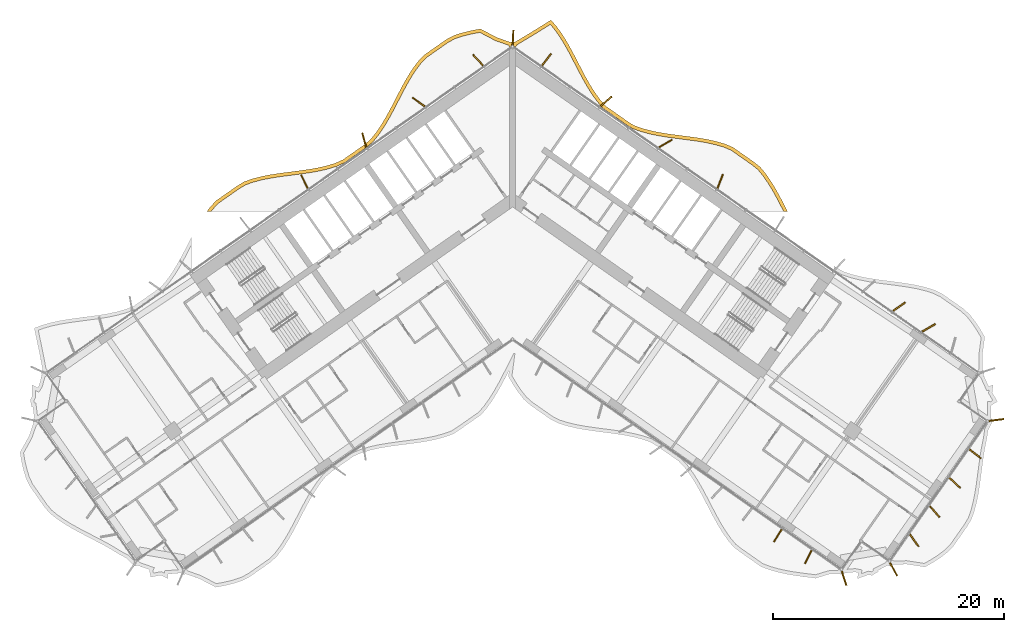
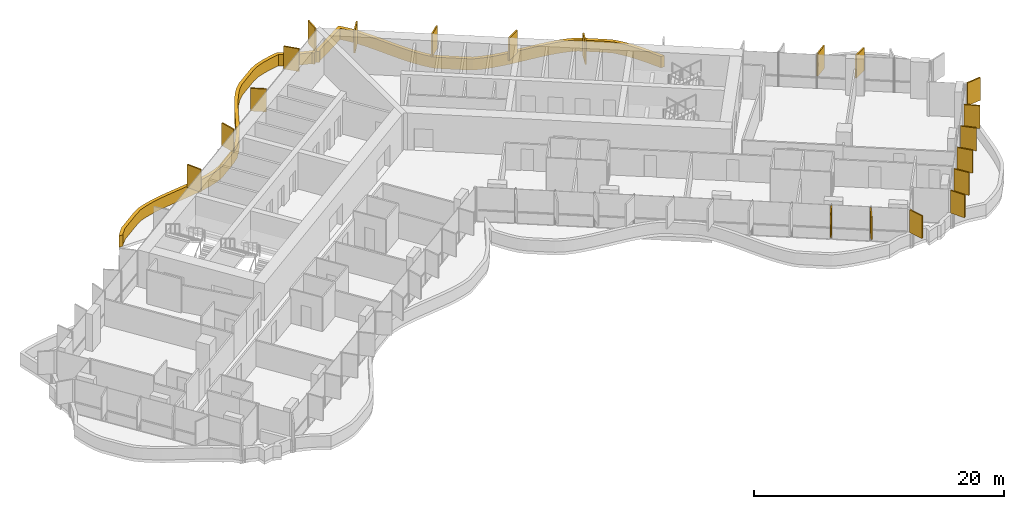
# One storey, part 21 of 22: 21 shading devices.
"""IFC4 building model written with IfcOpenShell, lengths in metres."""

from ifc_helpers import new_model, si_unit, direction, frame, origin, origin_2d, place, context, subcontext, project, spatial, polyline, rectangle, outline, extrude, material, layer, layer_set, type_object, element, save


model = new_model("IFC4")

# Units and contexts
model_context = context("Model", 3, precision=1e-05, world=origin(), true_north=direction((0.0, 1.0)))
body_context = subcontext(model_context, "Body", "Model", "MODEL_VIEW")
ifc_project = project(units=[si_unit("LENGTHUNIT", "METRE"), si_unit("AREAUNIT", "SQUARE_METRE"), si_unit("VOLUMEUNIT", "CUBIC_METRE"), si_unit("PLANEANGLEUNIT", "RADIAN"), si_unit("MASSUNIT", "GRAM", prefix="KILO")], contexts=[model_context])

# Site, building, storey
site_placement = place(None, origin())
site = spatial("IfcSite", under=ifc_project, at=site_placement, CompositionType="ELEMENT")
building_placement = place(site_placement, origin())
building = spatial("IfcBuilding", under=site, at=building_placement, Name="Tel Ilan Convention Tower", CompositionType="ELEMENT")
storey_placement = place(building_placement, frame((0.0, 0.0, 122.89990234375)))
storey = spatial("IfcBuildingStorey", under=building, at=storey_placement, Name="L27", CompositionType="ELEMENT", Elevation=122.89990234375)

# Shading devices
ifc_material_1 = material(Name="Aluminium, bronze anodised", Category="aluminium")
ifc_layer_1 = layer(ifc_material_1, 0.1201171875)
ifc_layer_set_1 = layer_set([ifc_layer_1], Name="FIN BRONZE 1300x120")
shading_device_type_1 = type_object("IfcShadingDeviceType", Name="FIN BRONZE 1300x120", PredefinedType="USERDEFINED", material=ifc_layer_set_1)
for number, where, z_axis, x_axis, name in (
    (1, (18.00048828125, 1.001220703125, 1.10009765625), (0.0, 0.0, 1.0), (0.360177724803, 0.932883704733, 0.0), "FIN"),
    (2, (13.26171875, 4.28173828125, 1.10009765625), (0.0, 0.0, 1.0), (0.866025403784, 0.5, 0.0), "FIN"),
    (3, (8.1083984375, 7.927734375, 1.10009765625), (0.0, 0.0, 1.0), (0.753435896329, 0.657521368568, 0.0), "FIN"),
    (4, (2.9365234375, 11.557373046875, 1.10009765625), (0.0, 0.0, 1.0), (0.612600545196, 0.790392669516, 0.0), "FIN"),
    (5, (0.031494140625, 13.4697265625, 1.10009765625), (0.0, 0.0, 1.0), (0.048462378231, 0.998825008646, 0.0), "FIN"),
    (6, (-2.98779296875, 11.521240234375, 1.10009765625), (0.0, 0.0, 1.0), (-0.686241637865, 0.727373641577, 0.0), "FIN"),
    (7, (-8.150634765625, 7.883056640625, 1.10009765625), (0.0, 0.0, 1.0), (-0.813552070258, 0.581492071294, 0.0), "FIN"),
    (8, (-12.8701171875, 4.578369140625, 1.10009765625), (0.0, 0.0, 1.0), (-0.268172612768, 0.963370878614, 0.0), "FIN"),
    (9, (-18.054931640625, 0.97119140625, 1.10009765625), (0.0, 0.0, 1.0), (-0.448799180206, 0.893632640321, 0.0), "FIN"),
    (10, (23.007568359375, -29.7236328125, 1.10009765625), (0.0, 0.0, 1.0), (-0.533204432798, -0.845986425922, 0.0), "FIN"),
    (11, (25.654296875, -31.576416015625, 1.10009765625), (0.0, 0.0, 1.0), (-0.448799180206, -0.893632640321, 0.0), "FIN"),
    (12, (28.75146484375, -33.43115234375, 1.10009765625), (0.0, 0.0, 1.0), (0.314544756146, -0.949242643575, 0.0), "FIN"),
    (13, (33.046875, -32.654541015625, 1.10009765625), (0.0, 0.0, 1.0), (0.491579408049, -0.870832754082, 0.0), "FIN"),
    (14, (34.83837890625, -30.15185546875, 1.10009765625), (0.0, 0.0, 1.0), (0.581492071294, -0.813552070258, 0.0), "FIN"),
    (15, (36.60400390625, -27.652099609375, 1.10009765625), (0.0, 0.0, 1.0), (0.657521368568, -0.753435896329, 0.0), "FIN"),
    (16, (38.365478515625, -25.147705078125, 1.10009765625), (0.0, 0.0, 1.0), (0.727373641577, -0.686241637865, 0.0), "FIN"),
    (17, (40.12255859375, -22.63916015625, 1.10009765625), (0.0, 0.0, 1.0), (0.790392669516, -0.612600545196, 0.0), "FIN"),
    (18, (41.974609375, -19.699951171875, 1.10009765625), (0.0, 0.0, 1.0), (0.992066016082, 0.125718016748, 0.0), "FIN"),
    (19, (36.093994140625, -11.705810546875, 1.10009765625), (0.0, 0.0, 1.0), (0.866025403784, 0.5, 0.0), "FIN"),
    (20, (33.52001953125, -9.880859375, 1.10009765625), (0.0, 0.0, 1.0), (0.813552070258, 0.581492071294, 0.0), "FIN"),
):
    element("IfcShadingDevice", number, at=place(storey_placement, frame(where, z_axis=z_axis, x_axis=x_axis)), inside=storey, type_object=shading_device_type_1, Name=name, ObjectType="FIN", PredefinedType="USERDEFINED", context=body_context, shape_type="SweptSolid", body=[
        extrude(rectangle(XDim=1.300048828125, YDim=0.1201171875, at=origin_2d()), origin(), (0.0, 0.0, 1.0), 2.219970703125),
    ])
ifc_material_2 = material(Name="Aluminium, bronze anodised", Category="aluminium")
ifc_layer_2 = layer(ifc_material_2, 0.300048828125)
ifc_layer_set_2 = layer_set([ifc_layer_2], Name="LOUVRE BAND 300x1100")
shading_device_type_2 = type_object("IfcShadingDeviceType", Name="LOUVRE BAND 300x1100", PredefinedType="USERDEFINED", material=ifc_layer_set_2)
shading_device_placement = place(storey_placement, origin())
element("IfcShadingDevice", 21, at=shading_device_placement, inside=storey, type_object=shading_device_type_2, Name="LOUVRE BAND 21.02", ObjectType="LOUVRE", PredefinedType="USERDEFINED", context=body_context, shape_type="SweptSolid", body=[
    extrude(outline(polyline([(-26.25927734375, -1.2568359375), (-26.53369140625, -1.631591796875), (-26.161865234375, -1.631591796875), (-26.0263671875, -1.44677734375), (-25.550048828125, -0.921630859375), (-23.767333984375, 0.32666015625), (-23.172119140625, 0.69384765625), (-22.488037109375, 0.931884765625), (-21.74560546875, 1.12646484375), (-20.9677734375, 1.28076171875), (-20.1630859375, 1.405517578125), (-18.510009765625, 1.619140625), (-17.68115234375, 1.73583984375), (-16.864013671875, 1.8779296875), (-16.0673828125, 2.058837890625), (-15.293212890625, 2.292236328125), (-14.563232421875, 2.620849609375), (-12.711669921875, 3.91748046875), (-12.110595703125, 4.42333984375), (-11.60400390625, 5.05859375), (-11.148193359375, 5.729736328125), (-10.724853515625, 6.43798828125), (-10.325439453125, 7.1708984375), (-9.557861328125, 8.65576171875), (-9.169921875, 9.37939453125), (-8.76708984375, 10.072509765625), (-8.3408203125, 10.72265625), (-7.890380859375, 11.3125), (-7.3837890625, 11.798583984375), (-5.60009765625, 13.047607421875), (-4.982177734375, 13.37744140625), (-4.2822265625, 13.604248046875), (-3.5302734375, 13.78759765625), (-2.8408203125, 13.914306640625), (-1.48388671875, 13.200927734375), (-0.362060546875, 12.812255859375), (-0.24609375, 12.646728515625), (0.0, 12.818115234375), (0.24609375, 12.646728515625), (0.38134765625, 12.839599609375), (1.88916015625, 13.747314453125), (3.271728515625, 14.607177734375), (3.593017578125, 14.232666015625), (4.037353515625, 13.614990234375), (4.454345703125, 12.947998046875), (4.8505859375, 12.2421875), (6.0068359375, 10.025390625), (6.4140625, 9.2998046875), (6.84814453125, 8.603759765625), (7.318115234375, 7.94921875), (7.845947265625, 7.3291015625), (9.697021484375, 6.0283203125), (10.3486328125, 5.60009765625), (11.1142578125, 5.323974609375), (11.8935546875, 5.112060546875), (12.69873046875, 4.94677734375), (13.521240234375, 4.815673828125), (15.99755859375, 4.4873046875), (16.79345703125, 4.35302734375), (17.559326171875, 4.18505859375), (18.284423828125, 3.97412109375), (18.94091796875, 3.7060546875), (20.723876953125, 2.457763671875), (21.272216796875, 2.02392578125), (21.729736328125, 1.462646484375), (22.166748046875, 0.83154296875), (22.57763671875, 0.153564453125), (22.97021484375, -0.56005859375), (23.52587890625, -1.631591796875), (23.86328125, -1.631591796875), (23.23486328125, -0.41845703125), (22.837646484375, 0.303466796875), (22.418701171875, 0.99462890625), (21.9697265625, 1.64306640625), (21.484130859375, 2.239013671875), (20.903076171875, 2.698486328125), (19.08544921875, 3.97119140625), (18.38330078125, 4.2578125), (17.63330078125, 4.47607421875), (16.8505859375, 4.647705078125), (16.043212890625, 4.783935546875), (13.564697265625, 5.112548828125), (12.75244140625, 5.241943359375), (11.963134765625, 5.404052734375), (11.20458984375, 5.610107421875), (10.483642578125, 5.8701171875), (9.865478515625, 6.276611328125), (8.050048828125, 7.55224609375), (7.5546875, 8.134033203125), (7.09765625, 8.770751953125), (6.672119140625, 9.452880859375), (6.2705078125, 10.168701171875), (5.1142578125, 12.385498046875), (4.71240234375, 13.100830078125), (4.28662109375, 13.7822265625), (3.8291015625, 14.418212890625), (3.331787109375, 14.997802734375), (1.732666015625, 14.003173828125), (0.168701171875, 13.059326171875), (0.11474609375, 13.09521484375), (0.0, 13.1181640625), (-0.11474609375, 13.09521484375), (-0.168701171875, 13.059326171875), (-1.3642578125, 13.47705078125), (-2.79296875, 14.228271484375), (-3.593017578125, 14.0810546875), (-4.364013671875, 13.89306640625), (-5.099853515625, 13.654541015625), (-5.75732421875, 13.3037109375), (-7.57470703125, 12.031005859375), (-8.11474609375, 11.512939453125), (-8.585693359375, 10.896240234375), (-9.022216796875, 10.230224609375), (-9.431884765625, 9.52587890625), (-9.823486328125, 8.79541015625), (-10.59033203125, 7.311767578125), (-10.985595703125, 6.586669921875), (-11.401123046875, 5.89111328125), (-11.845703125, 5.236572265625), (-12.326416015625, 4.633544921875), (-12.89453125, 4.155517578125), (-14.712158203125, 2.8828125), (-15.398681640625, 2.573974609375), (-16.14404296875, 2.34912109375), (-16.923095703125, 2.172119140625), (-17.727783203125, 2.0322265625), (-18.5498046875, 1.91650390625), (-20.20556640625, 1.70263671875), (-21.02001953125, 1.576171875), (-21.812744140625, 1.4189453125), (-22.57568359375, 1.218994140625), (-23.301513671875, 0.96630859375), (-23.93212890625, 0.577392578125), (-25.749755859375, -0.695068359375), (-26.25927734375, -1.2568359375)])), origin(), (0.0, 0.0, 1.0), 1.10009765625),
])

save(model, "model.ifc")
